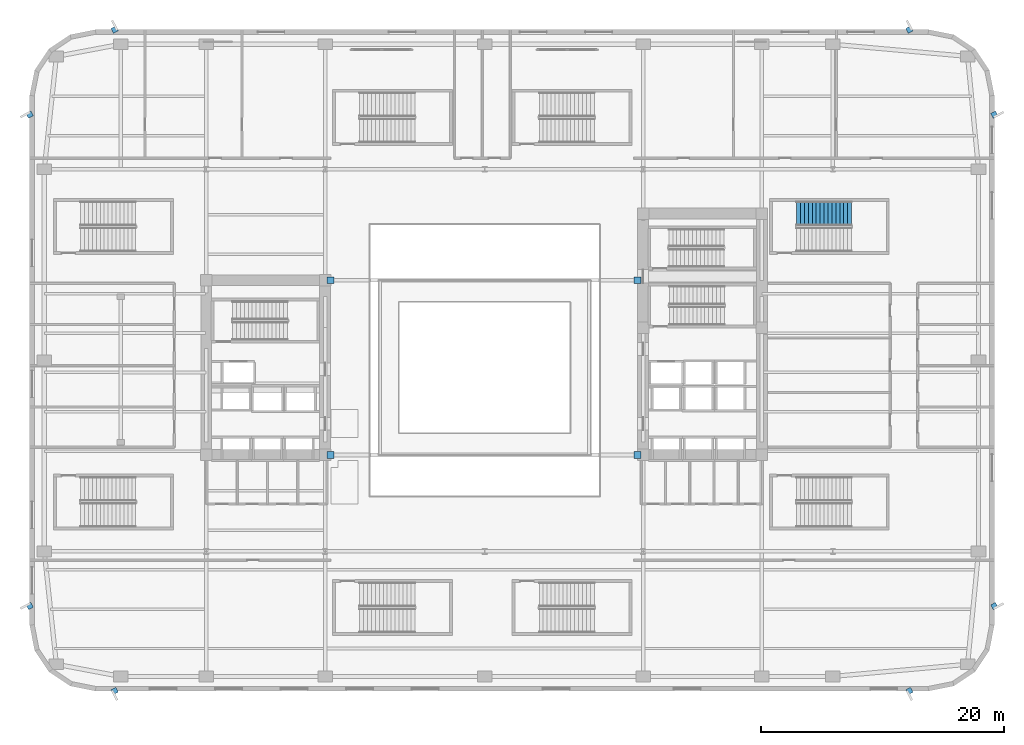
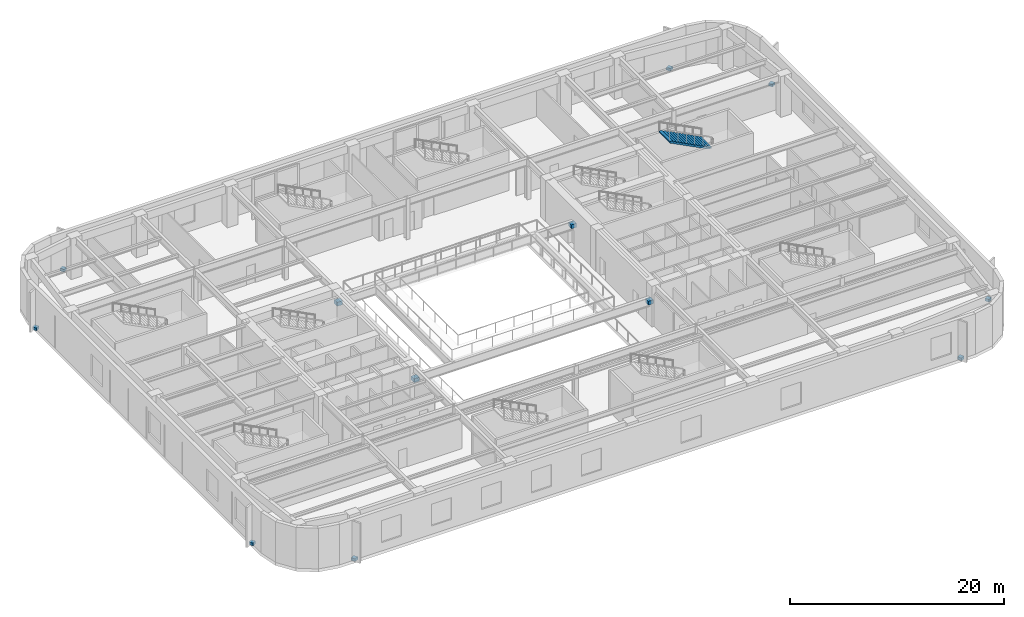
# One storey, part 11 of 21: 12 discrete accessories, 1 stair flight, 1 element without a shape of its own.
"""IFC4 building model written with IfcOpenShell, lengths in metres."""

from ifc_helpers import new_model, si_unit, direction, frame, origin, origin_2d, place, context, subcontext, project, spatial, polyline, rectangle, outline, extrude, material, type_object, element, aggregate, save


model = new_model("IFC4")

# Units and contexts
model_context = context("Model", 3, precision=1e-05, world=origin(), true_north=direction((0.0, 1.0)))
body_context = subcontext(model_context, "Body", "Model", "MODEL_VIEW")
ifc_project = project(units=[si_unit("LENGTHUNIT", "METRE"), si_unit("AREAUNIT", "SQUARE_METRE"), si_unit("VOLUMEUNIT", "CUBIC_METRE"), si_unit("PLANEANGLEUNIT", "RADIAN"), si_unit("MASSUNIT", "GRAM", prefix="KILO")], contexts=[model_context])

# Site, building, storey
site_placement = place(None, origin())
site = spatial("IfcSite", under=ifc_project, at=site_placement, CompositionType="ELEMENT")
building_placement = place(site_placement, origin())
building = spatial("IfcBuilding", under=site, at=building_placement, Name="Kolvaren Arena Tower", CompositionType="ELEMENT")
storey_placement = place(building_placement, frame((0.0, 0.0, 18.0)))
storey = spatial("IfcBuildingStorey", under=building, at=storey_placement, Name="L03", CompositionType="ELEMENT", Elevation=18.0)

# Stair, stair flight
ifc_material_1 = material(Name="Concrete 45 MPa", Category="concrete")
stair_type = type_object("IfcStairType", Name="STAIR-ARENA-220", PredefinedType="HALF_TURN_STAIR", material=ifc_material_1)
stair_placement = place(storey_placement, origin())
stair = element("IfcStair", 1, at=stair_placement, inside=storey, type_object=stair_type, Name="L03 ST-A8", PredefinedType="HALF_TURN_STAIR")
stair_flight_type = type_object("IfcStairFlightType", Name="FLT-220", PredefinedType="STRAIGHT", material=ifc_material_1)
stair_flight_placement = place(storey_placement, frame((67.736083984375, 39.35009765625, 2.5), z_axis=(0.0, 0.0, 1.0), x_axis=(-1.0, 0.0, 0.0)))
stair_flight = element("IfcStairFlight", 2, at=stair_flight_placement, type_object=stair_flight_type, Name="ST-A8 flight 2", NumberOfRisers=15, NumberOfTreads=14, PredefinedType="STRAIGHT", RiserHeight=0.166666667, TreadLength=0.324, context=body_context, shape_type="SweptSolid", body=[
    extrude(outline(polyline([(0.0, 0.0), (0.0, 0.166748046875), (0.323974609375, 0.166748046875), (0.323974609375, 0.333251953125), (0.64794921875, 0.333251953125), (0.64794921875, 0.5), (0.971923828125, 0.5), (0.971923828125, 0.666748046875), (1.2958984375, 0.666748046875), (1.2958984375, 0.833251953125), (1.6201171875, 0.833251953125), (1.6201171875, 1.0), (1.944091796875, 1.0), (1.944091796875, 1.166748046875), (2.26806640625, 1.166748046875), (2.26806640625, 1.333251953125), (2.592041015625, 1.333251953125), (2.592041015625, 1.5), (2.916015625, 1.5), (2.916015625, 1.666748046875), (3.239990234375, 1.666748046875), (3.239990234375, 1.833251953125), (3.56396484375, 1.833251953125), (3.56396484375, 2.0), (3.887939453125, 2.0), (3.887939453125, 2.166748046875), (4.2119140625, 2.166748046875), (4.2119140625, 2.333251953125), (4.535888671875, 2.333251953125), (4.535888671875, 2.5), (4.535888671875, 2.164794921875), (0.32763671875, 0.0), (0.0, 0.0)])), frame((0.0, 1.0, 0.0), z_axis=(0.0, -1.0, 0.0), x_axis=(1.0, 0.0, 0.0)), (0.0, 0.0, 1.0), 2.0),
])
aggregate(stair, [stair_flight])

# Discrete accessories
ifc_material_2 = material(Name="Stainless steel facade support bracket", Category="steel")
discrete_accessory_type_1 = type_object("IfcDiscreteAccessoryType", Name="ACC-BRKT-1", PredefinedType="BRACKET", material=ifc_material_2)
for number, where, z_axis, x_axis, name in (
    (3, (79.5, 47.5, 0.02001953125), (0.0, 0.0, 1.0), (0.882947592859, 0.469471562786, 0.0), "Arena Fin Anchor Bracket (L03)"),
    (4, (79.5, 7.0, 0.02001953125), (0.0, 0.0, 1.0), (0.882947592859, 0.469471562786, 0.0), "Arena Fin Anchor Bracket (L03)"),
    (5, (7.0, 54.5, 0.02001953125), (0.0, 0.0, 1.0), (-0.469471562786, 0.882947592859, 0.0), "Arena Fin Anchor Bracket (L03)"),
    (6, (72.5, 54.5, 0.02001953125), (0.0, 0.0, 1.0), (-0.469471562786, 0.882947592859, 0.0), "Arena Fin Anchor Bracket (L03)"),
    (7, (0.0, 7.0, 0.02001953125), (0.0, 0.0, 1.0), (-0.882947592859, -0.469471562786, 0.0), "Arena Fin Anchor Bracket (L03)"),
    (8, (0.0, 47.5, 0.02001953125), (0.0, 0.0, 1.0), (-0.882947592859, -0.469471562786, 0.0), "Arena Fin Anchor Bracket (L03)"),
    (9, (72.5, 0.0, 0.02001953125), (0.0, 0.0, 1.0), (0.469471562786, -0.882947592859, 0.0), "Arena Fin Anchor Bracket (L03)"),
    (10, (7.0, 0.0, 0.02001953125), (0.0, 0.0, 1.0), (0.469471562786, -0.882947592859, 0.0), "Arena Fin Anchor Bracket (L03)"),
):
    element("IfcDiscreteAccessory", number, at=place(storey_placement, frame(where, z_axis=z_axis, x_axis=x_axis)), inside=storey, type_object=discrete_accessory_type_1, Name=name, PredefinedType="BRACKET", context=body_context, shape_type="SweptSolid", body=[
        extrude(rectangle(XDim=0.449951171875, YDim=0.449951171875, at=origin_2d()), origin(), (0.0, 0.0, 1.0), 0.300048828125),
    ])
ifc_material_3 = material(Name="Steel CSA G40.21 350W bolted gusset connection", Category="steel")
discrete_accessory_type_2 = type_object("IfcDiscreteAccessoryType", Name="ACC-CONN-1", PredefinedType="BRACKET", material=ifc_material_3)
for number, where, z_axis, x_axis, name in (
    (11, (24.800048828125, 19.449951171875, 2.464111328125), (0.0, 0.0, 1.0), (1.0, 0.0, 0.0), "Core Wall Cast-In Embed Plate EP1 (L03)"),
    (12, (50.10009765625, 19.449951171875, 2.464111328125), (0.0, 0.0, 1.0), (1.0, 0.0, 0.0), "Core Wall Cast-In Embed Plate EP1 (L03)"),
    (13, (24.800048828125, 33.85009765625, 2.464111328125), (0.0, 0.0, 1.0), (1.0, 0.0, 0.0), "Core Wall Cast-In Embed Plate EP1 (L03)"),
    (14, (50.10009765625, 33.85009765625, 2.464111328125), (0.0, 0.0, 1.0), (1.0, 0.0, 0.0), "Core Wall Cast-In Embed Plate EP1 (L03)"),
):
    element("IfcDiscreteAccessory", number, at=place(storey_placement, frame(where, z_axis=z_axis, x_axis=x_axis)), inside=storey, type_object=discrete_accessory_type_2, Name=name, PredefinedType="BRACKET", context=body_context, shape_type="SweptSolid", body=[
        extrude(rectangle(XDim=0.56005859375, YDim=0.56005859375, at=origin_2d()), origin(), (0.0, 0.0, 1.0), 0.43994140625),
    ])

save(model, "model.ifc")
